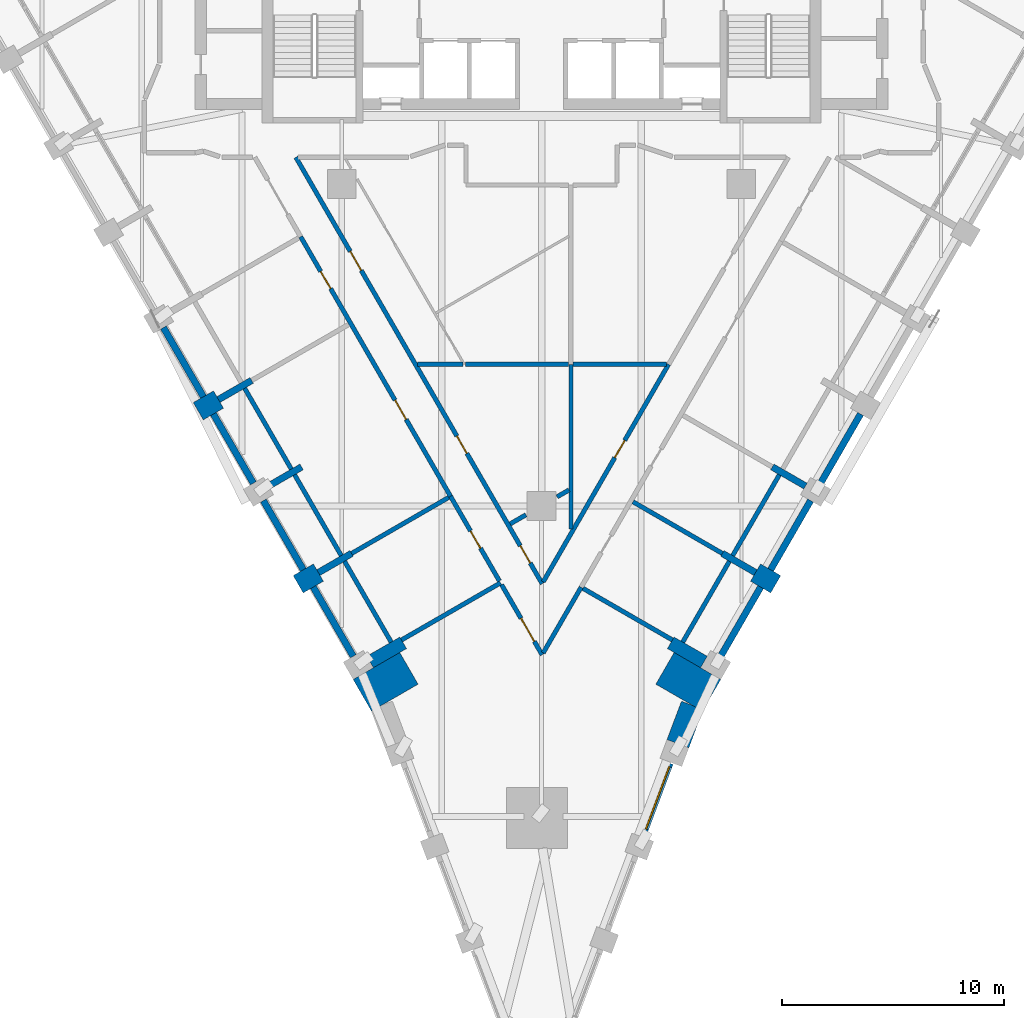
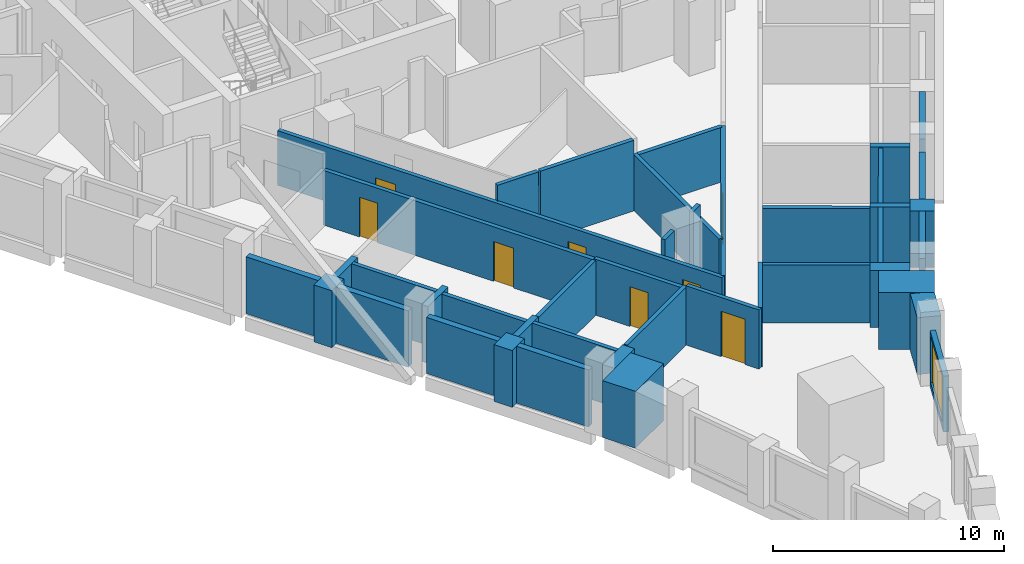
# One storey, part 3 of 10: 42 walls, 8 doors, 1 window, 9 openings.
"""IFC4 building model written with IfcOpenShell, lengths in metres."""

from ifc_helpers import new_model, si_unit, direction, frame, frame_2d, origin, place, context, subcontext, project, spatial, polyline, rectangle, outline, extrude, material, layer, layer_set, type_object, element, fill, save


model = new_model("IFC4")

# Units and contexts
model_context = context("Model", 3, precision=1e-05, world=origin(), true_north=direction((0.0, 1.0)))
body_context = subcontext(model_context, "Body", "Model", "MODEL_VIEW")
ifc_project = project(units=[si_unit("LENGTHUNIT", "METRE"), si_unit("AREAUNIT", "SQUARE_METRE"), si_unit("VOLUMEUNIT", "CUBIC_METRE"), si_unit("PLANEANGLEUNIT", "RADIAN"), si_unit("MASSUNIT", "GRAM", prefix="KILO")], contexts=[model_context])

# Site, building, storey
site_placement = place(None, origin())
site = spatial("IfcSite", under=ifc_project, at=site_placement, CompositionType="ELEMENT")
building_placement = place(site_placement, origin())
building = spatial("IfcBuilding", under=site, at=building_placement, Name="Calabash Gate Tower", CompositionType="ELEMENT")
storey_placement = place(building_placement, frame((0.0, 0.0, 152.39990234375)))
storey = spatial("IfcBuildingStorey", under=building, at=storey_placement, Name="L35", CompositionType="ELEMENT", Elevation=152.39990234375)

# Walls
ifc_material_1 = material(Name="Terracotta brick masonry, exposed face", Category="masonry")
ifc_layer_1 = layer(ifc_material_1, 2.425048828125)
ifc_layer_set_1 = layer_set([ifc_layer_1], Name="Brick corner mass wall 2425")
wall_type_1 = type_object("IfcWallType", Name="Brick corner mass wall 2425", PredefinedType="SOLIDWALL", material=ifc_layer_set_1)
wall_1_placement = place(storey_placement, origin())
element("IfcWall", 1, at=wall_1_placement, inside=storey, type_object=wall_type_1, Name="Brick corner pier S09 1", PredefinedType="SOLIDWALL", context=body_context, shape_type="SweptSolid", body=[
    extrude(outline(polyline([(-5.559326171875, -20.035888671875), (-6.384521484375, -18.6064453125), (-7.573974609375, -19.293212890625), (-7.5732421875, -19.294189453125), (-8.482666015625, -19.819091796875), (-8.483154296875, -19.818115234375), (-8.484619140625, -19.819091796875), (-7.659423828125, -21.248291015625), (-5.559326171875, -20.035888671875)])), origin(), (0.0, 0.0, 1.0), 3.0),
])
wall_2_placement = place(storey_placement, origin())
element("IfcWall", 2, at=wall_2_placement, inside=storey, type_object=wall_type_1, Name="Brick corner pier S09 2", PredefinedType="SOLIDWALL", context=body_context, shape_type="SweptSolid", body=[
    extrude(outline(polyline([(8.0751953125, -19.819091796875), (5.97509765625, -18.6064453125), (5.14990234375, -20.035888671875), (7.25, -21.248291015625), (8.0751953125, -19.819091796875)])), origin(), (0.0, 0.0, 1.0), 3.0),
])
ifc_material_2 = material(Name="Terracotta brick masonry, exposed face", Category="masonry")
ifc_layer_2 = layer(ifc_material_2, 1.050048828125)
ifc_layer_set_2 = layer_set([ifc_layer_2], Name="Brick end wall 1050")
wall_type_2 = type_object("IfcWallType", Name="Brick end wall 1050", PredefinedType="SOLIDWALL", material=ifc_layer_set_2)
for number, where, z_axis, x_axis, name in (
    (3, (-15.459716796875, -7.738037109375, 0.0), (0.0, 0.0, 1.0), (0.865988129768, 0.500064554934, 0.0), "Brick pier S09 SW0.5"),
    (4, (-10.05029296875, -15.00732421875, 0.0), (0.0, 0.0, 1.0), (-0.866088799389, -0.499890179513, 0.0), "Brick pier S09 SW0.7"),
    (5, (9.640869140625, -15.00732421875, 0.0), (0.0, 0.0, 1.0), (0.866088799389, -0.499890179513, 0.0), "Brick pier S09 SE4.1"),
):
    element("IfcWall", number, at=place(storey_placement, frame(where, z_axis=z_axis, x_axis=x_axis)), inside=storey, type_object=wall_type_2, Name=name, PredefinedType="SOLIDWALL", context=body_context, shape_type="SweptSolid", body=[
        extrude(rectangle(XDim=1.050048828125, YDim=0.89990234375, at=frame_2d((0.52490234375, 0.0))), origin(), (0.0, 0.0, 1.0), 3.0),
    ])
wall_3_placement = place(storey_placement, origin())
element("IfcWall", 6, at=wall_3_placement, inside=storey, type_object=wall_type_2, Name="Brick end wall S09 3", PredefinedType="SOLIDWALL", context=body_context, shape_type="SweptSolid", body=[
    extrude(outline(polyline([(6.303955078125, -20.80126953125), (5.653564453125, -22.53125), (5.65380859375, -22.53125), (5.65380859375, -22.531005859375), (6.636474609375, -22.900390625), (7.271484375, -21.2109375), (7.25, -21.248291015625), (6.795166015625, -20.98583984375), (6.303955078125, -20.80126953125)])), origin(), (0.0, 0.0, 1.0), 3.0),
])
ifc_material_3 = material(Name="Terracotta brick masonry, exposed face", Category="masonry")
ifc_layer_3 = layer(ifc_material_3, 0.300048828125)
ifc_layer_set_3 = layer_set([ifc_layer_3], Name="Brick infill panel wall 300")
wall_type_3 = type_object("IfcWallType", Name="Brick infill panel wall 300", PredefinedType="SOLIDWALL", material=ifc_layer_set_3)
wall_4_placement = place(storey_placement, frame((-15.22998046875, -7.085693359375, 0.0), z_axis=(0.0, 0.0, 1.0), x_axis=(-0.499998428639, 0.866026311008, 0.0)))
element("IfcWall", 7, at=wall_4_placement, inside=storey, type_object=wall_type_3, Name="Brick panel S09 SW0.5", PredefinedType="SOLIDWALL", context=body_context, shape_type="SweptSolid", body=[
    extrude(rectangle(XDim=3.59912109375, YDim=0.300048828125, at=frame_2d((1.799560546875, 0.0))), origin(), (0.0, 0.0, 1.0), 3.0),
])
wall_5_placement = place(storey_placement, frame((-14.780029296875, -7.865234375, 0.0), z_axis=(0.0, 0.0, 1.0), x_axis=(0.500012057535, -0.866018442252, 0.0)))
element("IfcWall", 8, at=wall_5_placement, inside=storey, type_object=wall_type_3, Name="Brick panel S09 SW0.6", PredefinedType="SOLIDWALL", context=body_context, shape_type="SweptSolid", body=[
    extrude(rectangle(XDim=3.60009765625, YDim=0.300048828125, at=frame_2d((1.800048828125, 0.0))), origin(), (0.0, 0.0, 1.0), 2.9736328125),
])
wall_6_placement = place(storey_placement, frame((-10.72998046875, -14.8798828125, 0.0), z_axis=(0.0, 0.0, 1.0), x_axis=(-0.500006299954, 0.866021766474, 0.0)))
element("IfcWall", 9, at=wall_6_placement, inside=storey, type_object=wall_type_3, Name="Brick panel S09 SW0.7", PredefinedType="SOLIDWALL", context=body_context, shape_type="SweptSolid", body=[
    extrude(rectangle(XDim=3.5986328125, YDim=0.300048828125, at=frame_2d((1.79931640625, 0.0))), origin(), (0.0, 0.0, 1.0), 2.9501953125),
])
for number, where, z_axis, x_axis, name in (
    (10, (-10.280029296875, -15.659423828125, 0.0), (0.0, 0.0, 1.0), (0.500012057535, -0.866018442252, 0.0), "Brick panel S09 SW0.8"),
    (11, (8.070556640625, -18.777099609375, 0.0), (0.0, 0.0, 1.0), (0.500012057535, 0.866018442252, 0.0), "Brick panel S09 SE4.1"),
):
    element("IfcWall", number, at=place(storey_placement, frame(where, z_axis=z_axis, x_axis=x_axis)), inside=storey, type_object=wall_type_3, Name=name, PredefinedType="SOLIDWALL", context=body_context, shape_type="SweptSolid", body=[
        extrude(rectangle(XDim=3.60009765625, YDim=0.300048828125, at=frame_2d((1.800048828125, 0.0))), origin(), (0.0, 0.0, 1.0), 3.0),
    ])
wall_7_placement = place(storey_placement, frame((10.320556640625, -14.8798828125, 0.0), z_axis=(0.0, 0.0, 1.0), x_axis=(0.500012057535, 0.866018442252, 0.0)))
element("IfcWall", 12, at=wall_7_placement, inside=storey, type_object=wall_type_3, Name="Brick panel S09 SE4.2", PredefinedType="SOLIDWALL", context=body_context, shape_type="SweptSolid", body=[
    extrude(rectangle(XDim=3.60009765625, YDim=0.300048828125, at=frame_2d((1.800048828125, 0.0))), origin(), (0.0, 0.0, 1.0), 2.9501953125),
])
wall_8_placement = place(storey_placement, frame((12.570556640625, -10.98291015625, 0.0), z_axis=(0.0, 0.0, 1.0), x_axis=(0.500012057535, 0.866018442252, 0.0)))
element("IfcWall", 13, at=wall_8_placement, inside=storey, type_object=wall_type_3, Name="Brick panel S09 SE4.3", PredefinedType="SOLIDWALL", context=body_context, shape_type="SweptSolid", body=[
    extrude(rectangle(XDim=3.60009765625, YDim=0.300048828125, at=frame_2d((1.800048828125, 0.0))), origin(), (0.0, 0.0, 1.0), 3.0),
])
ifc_material_4 = material(Name="Terracotta brick masonry, exposed face", Category="masonry")
ifc_layer_4 = layer(ifc_material_4, 0.300048828125)
ifc_layer_set_4 = layer_set([ifc_layer_4], Name="Brick loggia cheek wall 300")
wall_type_4 = type_object("IfcWallType", Name="Brick loggia cheek wall 300", PredefinedType="SOLIDWALL", material=ifc_layer_set_4)
wall_9_placement = place(storey_placement, frame((-14.55029296875, -7.212890625, 0.0), z_axis=(0.0, 0.0, 1.0), x_axis=(0.866074815912, 0.499914405916, 0.0)))
element("IfcWall", 14, at=wall_9_placement, inside=storey, type_object=wall_type_4, Name="Loggia cheek S09 SW0.5", PredefinedType="SOLIDWALL", context=body_context, shape_type="SweptSolid", body=[
    extrude(rectangle(XDim=1.724853515625, YDim=0.300048828125, at=frame_2d((0.8623046875, 0.0))), origin(), (0.0, 0.0, 1.0), 2.9736328125),
])
wall_10_placement = place(storey_placement, frame((-10.806396484375, -10.24755859375, 0.0), z_axis=(0.0, 0.0, 1.0), x_axis=(-0.866020469142, -0.500008546953, 0.0)))
element("IfcWall", 15, at=wall_10_placement, inside=storey, type_object=wall_type_4, Name="Loggia cheek S09 SW0.6", PredefinedType="SOLIDWALL", context=body_context, shape_type="SweptSolid", body=[
    extrude(rectangle(XDim=1.7236328125, YDim=0.300048828125, at=frame_2d((0.86181640625, 0.0))), origin(), (0.0, 0.0, 1.0), 3.0),
])
wall_11_placement = place(storey_placement, frame((-10.05029296875, -15.00732421875, 0.0), z_axis=(0.0, 0.0, 1.0), x_axis=(0.866013532718, 0.500020560727, 0.0)))
element("IfcWall", 16, at=wall_11_placement, inside=storey, type_object=wall_type_4, Name="Loggia cheek S09 SW0.7", PredefinedType="SOLIDWALL", context=body_context, shape_type="SweptSolid", body=[
    extrude(rectangle(XDim=1.72509765625, YDim=0.300048828125, at=frame_2d((0.862548828125, 0.0))), origin(), (0.0, 0.0, 1.0), 3.0),
])
wall_12_placement = place(storey_placement, frame((-7.723876953125, -19.033447265625, 0.0), z_axis=(0.0, 0.0, 1.0), x_axis=(0.865985050045, 0.500069888215, 0.0)))
element("IfcWall", 17, at=wall_12_placement, inside=storey, type_object=wall_type_4, Name="Loggia cheek S09 SW0.8", PredefinedType="SOLIDWALL", context=body_context, shape_type="SweptSolid", body=[
    extrude(rectangle(XDim=1.723388671875, YDim=0.60009765625, at=frame_2d((0.86181640625, 0.0))), origin(), (0.0, 0.0, 1.0), 3.0),
])
wall_13_placement = place(storey_placement, frame((7.31591796875, -19.0341796875, 0.0), z_axis=(0.0, 0.0, 1.0), x_axis=(-0.866013532718, 0.500020560727, 0.0)))
element("IfcWall", 18, at=wall_13_placement, inside=storey, type_object=wall_type_4, Name="Loggia cheek S09 SE4.0", PredefinedType="SOLIDWALL", context=body_context, shape_type="SweptSolid", body=[
    extrude(rectangle(XDim=1.72509765625, YDim=0.60009765625, at=frame_2d((0.862548828125, 0.0))), origin(), (0.0, 0.0, 1.0), 3.0),
])
for number, where, z_axis, x_axis, name in (
    (19, (9.640869140625, -15.00732421875, 0.0), (0.0, 0.0, 1.0), (-0.866013532718, 0.500020560727, 0.0), "Loggia cheek S09 SE4.1"),
    (20, (11.890869140625, -11.110107421875, 0.0), (0.0, 0.0, 1.0), (-0.866013532718, 0.500020560727, 0.0), "Loggia cheek S09 SE4.2"),
):
    element("IfcWall", number, at=place(storey_placement, frame(where, z_axis=z_axis, x_axis=x_axis)), inside=storey, type_object=wall_type_4, Name=name, PredefinedType="SOLIDWALL", context=body_context, shape_type="SweptSolid", body=[
        extrude(rectangle(XDim=1.72509765625, YDim=0.300048828125, at=frame_2d((0.862548828125, 0.0))), origin(), (0.0, 0.0, 1.0), 3.0),
    ])

# Wall, opening, door
ifc_material_5 = material(Name="Gypsum board on steel studs, mineral wool", Category="steel")
ifc_layer_5 = layer(ifc_material_5, 0.199951171875)
ifc_layer_set_5 = layer_set([ifc_layer_5], Name="Partition 200 gypsum board EI 60")
wall_type_5 = type_object("IfcWallType", Name="Partition 200 gypsum board EI 60", PredefinedType="PARTITIONING", material=ifc_layer_set_5)
wall_14_placement = place(storey_placement, frame((-1.7978515625, -15.5546875, 0.0), z_axis=(0.0, 0.0, 1.0), x_axis=(0.500381369408, -0.865805108064, 0.0)))
wall_14 = element("IfcWall", 21, at=wall_14_placement, inside=storey, type_object=wall_type_5, Name="Partition", PredefinedType="PARTITIONING", context=body_context, shape_type="SweptSolid", body=[
    extrude(rectangle(XDim=3.645263671875, YDim=0.199951171875, at=frame_2d((1.82275390625, 0.0))), origin(), (0.0, 0.0, 1.0), 3.128173828125),
])
opening_1_placement = place(wall_14_placement, frame((1.74462890625, 0.0, 0.0)))
opening_1 = element("IfcOpeningElement", 22, at=opening_1_placement, cuts=wall_14, Name="Opening 33-35-016", PredefinedType="OPENING", context=body_context, shape_type="SweptSolid", body=[
    extrude(rectangle(XDim=1.199951171875, YDim=2.39990234375, at=frame_2d((0.60009765625, 1.199951171875))), frame((0.0, 0.10986328125, 0.0), z_axis=(0.0, -1.0, 0.0), x_axis=(1.0, 0.0, 0.0)), (0.0, 0.0, 1.0), 0.219970703125),
])
ifc_material_6 = material(Name="Steel fire door set with fire-resisting glazing", Category="steel")
door_type_1 = type_object("IfcDoorType", Name="OD3 Boardroom door 1200x2400", OperationType="NOTDEFINED", PredefinedType="DOOR", material=ifc_material_6)
door_1_placement = place(opening_1_placement, origin())
door_1 = element("IfcDoor", 23, at=door_1_placement, inside=storey, type_object=door_type_1, Name="Boardroom door", OperationType="SINGLE_SWING_RIGHT", OverallHeight=2.39990234375, OverallWidth=1.199951171875, PredefinedType="DOOR", context=body_context, shape_type="SweptSolid", body=[
    extrude(rectangle(XDim=1.199951171875, YDim=2.39990234375, at=frame_2d((0.60009765625, 1.199951171875))), frame((0.0, 0.02490234375, 0.0), z_axis=(0.0, -1.0, 0.0), x_axis=(1.0, 0.0, 0.0)), (0.0, 0.0, 1.0), 0.050048828125),
])
fill(opening_1, door_1)

# Walls
wall_15_placement = place(storey_placement, frame((1.869384765625, -15.71875, 0.0), z_axis=(0.0, 0.0, 1.0), x_axis=(0.866183837695, -0.499725483956, 0.0)))
element("IfcWall", 24, at=wall_15_placement, inside=storey, type_object=wall_type_5, Name="Partition", PredefinedType="PARTITIONING", context=body_context, shape_type="SweptSolid", body=[
    extrude(rectangle(XDim=4.6494140625, YDim=0.199951171875, at=frame_2d((2.32470703125, 0.0))), origin(), (0.0, 0.0, 1.0), 3.052001953125),
])
wall_16_placement = place(storey_placement, frame((0.076171875, -18.624267578125, 0.0), z_axis=(0.0, 0.0, 1.0), x_axis=(0.500452706258, 0.865763875892, 0.0)))
element("IfcWall", 25, at=wall_16_placement, inside=storey, type_object=wall_type_5, Name="Partition", PredefinedType="PARTITIONING", context=body_context, shape_type="SweptSolid", body=[
    extrude(rectangle(XDim=3.414306640625, YDim=0.199951171875, at=frame_2d((1.70703125, 0.0))), origin(), (0.0, 0.0, 1.0), 3.128173828125),
])
wall_17_placement = place(storey_placement, frame((-6.30615234375, -18.042236328125, 0.0), z_axis=(0.0, 0.0, 1.0), x_axis=(0.86617295725, 0.499744342768, 0.0)))
element("IfcWall", 26, at=wall_17_placement, inside=storey, type_object=wall_type_5, Name="Partition", PredefinedType="PARTITIONING", context=body_context, shape_type="SweptSolid", body=[
    extrude(rectangle(XDim=5.149658203125, YDim=0.199951171875, at=frame_2d((2.57470703125, 0.0))), origin(), (0.0, 0.0, 1.0), 3.052001953125),
])

# Wall, opening, door
wall_18_placement = place(storey_placement, frame((0.076171875, -15.423095703125, 0.0), z_axis=(0.0, 0.0, 1.0), x_axis=(0.499393409799, 0.866375335666, 0.0)))
wall_18 = element("IfcWall", 27, at=wall_18_placement, inside=storey, type_object=wall_type_5, Name="Partition", PredefinedType="PARTITIONING", context=body_context, shape_type="SweptSolid", body=[
    extrude(rectangle(XDim=11.30615234375, YDim=0.199951171875, at=frame_2d((5.653076171875, 0.0))), origin(), (0.0, 0.0, 1.0), 2.88427734375),
])
opening_2_placement = place(wall_18_placement, frame((6.455078125, 0.0, 0.0)))
opening_2 = element("IfcOpeningElement", 28, at=opening_2_placement, cuts=wall_18, Name="Opening 33-35-011", PredefinedType="OPENING", context=body_context, shape_type="SweptSolid", body=[
    extrude(rectangle(XDim=0.89990234375, YDim=2.10009765625, at=frame_2d((0.449951171875, 1.050048828125))), frame((0.0, 0.10986328125, 0.0), z_axis=(0.0, -1.0, 0.0), x_axis=(1.0, 0.0, 0.0)), (0.0, 0.0, 1.0), 0.219970703125),
])
ifc_material_7 = material(Name="Steel fire door set with fire-resisting glazing", Category="steel")
door_type_2 = type_object("IfcDoorType", Name="SD3 Store door 900x2100", OperationType="NOTDEFINED", PredefinedType="DOOR", material=ifc_material_7)
door_2_placement = place(opening_2_placement, origin())
door_2 = element("IfcDoor", 29, at=door_2_placement, inside=storey, type_object=door_type_2, Name="Store door", OperationType="SINGLE_SWING_RIGHT", OverallHeight=2.10009765625, OverallWidth=0.89990234375, PredefinedType="DOOR", context=body_context, shape_type="SweptSolid", body=[
    extrude(rectangle(XDim=0.89990234375, YDim=2.10009765625, at=frame_2d((0.449951171875, 1.050048828125))), frame((0.0, 0.02490234375, 0.0), z_axis=(0.0, -1.0, 0.0), x_axis=(1.0, 0.0, 0.0)), (0.0, 0.0, 1.0), 0.050048828125),
])
fill(opening_2, door_2)

wall_19_placement = place(storey_placement, frame((-4.09716796875, -11.572509765625, 0.0), z_axis=(0.0, 0.0, 1.0), x_axis=(0.500013981145, -0.866017331616, 0.0)))
wall_19 = element("IfcWall", 30, at=wall_19_placement, inside=storey, type_object=wall_type_5, Name="Partition", PredefinedType="PARTITIONING", context=body_context, shape_type="SweptSolid", body=[
    extrude(rectangle(XDim=4.397705078125, YDim=0.199951171875, at=frame_2d((2.19873046875, 0.0))), origin(), (0.0, 0.0, 1.0), 2.9501953125),
])
opening_3_placement = place(wall_19_placement, frame((1.798095703125, 0.0, 0.0)))
opening_3 = element("IfcOpeningElement", 31, at=opening_3_placement, cuts=wall_19, Name="Opening 33-35-003", PredefinedType="OPENING", context=body_context, shape_type="SweptSolid", body=[
    extrude(rectangle(XDim=0.89990234375, YDim=2.10009765625, at=frame_2d((0.449951171875, 1.050048828125))), frame((0.0, 0.10986328125, 0.0), z_axis=(0.0, -1.0, 0.0), x_axis=(1.0, 0.0, 0.0)), (0.0, 0.0, 1.0), 0.219970703125),
])
door_3_placement = place(opening_3_placement, origin())
door_3 = element("IfcDoor", 32, at=door_3_placement, inside=storey, type_object=door_type_2, Name="Store door", OperationType="SINGLE_SWING_LEFT", OverallHeight=2.10009765625, OverallWidth=0.89990234375, PredefinedType="DOOR", context=body_context, shape_type="SweptSolid", body=[
    extrude(rectangle(XDim=0.89990234375, YDim=2.10009765625, at=frame_2d((0.449951171875, 1.050048828125))), frame((0.0, 0.02490234375, 0.0), z_axis=(0.0, -1.0, 0.0), x_axis=(1.0, 0.0, 0.0)), (0.0, 0.0, 1.0), 0.050048828125),
])
fill(opening_3, door_3)

# Walls
wall_20_placement = place(storey_placement, frame((-1.412841796875, -12.813720703125, 0.0), z_axis=(0.0, 0.0, 1.0), x_axis=(0.866906303058, 0.498471124258, 0.0)))
element("IfcWall", 33, at=wall_20_placement, inside=storey, type_object=wall_type_5, Name="Partition", PredefinedType="PARTITIONING", context=body_context, shape_type="SweptSolid", body=[
    extrude(rectangle(XDim=0.822265625, YDim=0.199951171875, at=frame_2d((0.4111328125, 0.0))), origin(), (0.0, 0.0, 1.0), 3.72998046875),
])
wall_21_placement = place(storey_placement, frame((4.12109375, -11.818115234375, 0.0), z_axis=(0.0, 0.0, 1.0), x_axis=(0.865845361661, -0.500311712526, 0.0)))
element("IfcWall", 34, at=wall_21_placement, inside=storey, type_object=wall_type_5, Name="Partition", PredefinedType="PARTITIONING", context=body_context, shape_type="SweptSolid", body=[
    extrude(rectangle(XDim=4.64990234375, YDim=0.199951171875, at=frame_2d((2.324951171875, 0.0))), origin(), (0.0, 0.0, 1.0), 2.88427734375),
])
wall_22_placement = place(storey_placement, frame((-8.556396484375, -14.14501953125, 0.0), z_axis=(0.0, 0.0, 1.0), x_axis=(0.866191221831, 0.499712684673, 0.0)))
element("IfcWall", 35, at=wall_22_placement, inside=storey, type_object=wall_type_5, Name="Partition", PredefinedType="PARTITIONING", context=body_context, shape_type="SweptSolid", body=[
    extrude(rectangle(XDim=5.04833984375, YDim=0.199951171875, at=frame_2d((2.524169921875, 0.0))), origin(), (0.0, 0.0, 1.0), 2.88427734375),
])
wall_23_placement = place(storey_placement, frame((0.699951171875, -11.595703125, 0.0), z_axis=(0.0, 0.0, 1.0), x_axis=(0.866015917575, 0.500016430238, 0.0)))
element("IfcWall", 36, at=wall_23_placement, inside=storey, type_object=wall_type_5, Name="Partition", PredefinedType="PARTITIONING", context=body_context, shape_type="SweptSolid", body=[
    extrude(rectangle(XDim=0.623046875, YDim=0.199951171875, at=frame_2d((0.3115234375, 0.0))), origin(), (0.0, 0.0, 1.0), 3.72998046875),
])

# Wall, openings, doors
wall_24_placement = place(storey_placement, frame((-10.84814453125, 0.12060546875, 0.0), z_axis=(0.0, 0.0, 1.0), x_axis=(0.499997969693, -0.866026575979, 0.0)))
wall_24 = element("IfcWall", 37, at=wall_24_placement, inside=storey, type_object=wall_type_5, Name="Partition", PredefinedType="PARTITIONING", context=body_context, shape_type="SweptSolid", body=[
    extrude(rectangle(XDim=13.5, YDim=0.199951171875, at=frame_2d((6.75, 0.0))), origin(), (0.0, 0.0, 1.0), 2.88427734375),
])
opening_4_placement = place(wall_24_placement, frame((1.7998046875, 0.0, 0.0)))
opening_4 = element("IfcOpeningElement", 38, at=opening_4_placement, cuts=wall_24, Name="Opening 33-35-001", PredefinedType="OPENING", context=body_context, shape_type="SweptSolid", body=[
    extrude(rectangle(XDim=0.89990234375, YDim=2.10009765625, at=frame_2d((0.449951171875, 1.050048828125))), frame((0.0, 0.10986328125, 0.0), z_axis=(0.0, -1.0, 0.0), x_axis=(1.0, 0.0, 0.0)), (0.0, 0.0, 1.0), 0.219970703125),
])
opening_5_placement = place(wall_24_placement, frame((8.5, 0.0, 0.0)))
opening_5 = element("IfcOpeningElement", 39, at=opening_5_placement, cuts=wall_24, Name="Opening 33-35-002", PredefinedType="OPENING", context=body_context, shape_type="SweptSolid", body=[
    extrude(rectangle(XDim=1.0, YDim=2.10009765625, at=frame_2d((0.5, 1.050048828125))), frame((0.0, 0.10986328125, 0.0), z_axis=(0.0, -1.0, 0.0), x_axis=(1.0, 0.0, 0.0)), (0.0, 0.0, 1.0), 0.219970703125),
])
ifc_material_8 = material(Name="Steel fire door set with fire-resisting glazing", Category="steel")
door_type_3 = type_object("IfcDoorType", Name="LD2 Meeting room door 1000x2100", OperationType="NOTDEFINED", PredefinedType="DOOR", material=ifc_material_8)
door_4_placement = place(opening_5_placement, origin())
door_4 = element("IfcDoor", 40, at=door_4_placement, inside=storey, type_object=door_type_3, Name="Meeting room door", OperationType="SINGLE_SWING_RIGHT", OverallHeight=2.10009765625, OverallWidth=1.0, PredefinedType="DOOR", context=body_context, shape_type="SweptSolid", body=[
    extrude(rectangle(XDim=1.0, YDim=2.10009765625, at=frame_2d((0.5, 1.050048828125))), frame((0.0, 0.02490234375, 0.0), z_axis=(0.0, -1.0, 0.0), x_axis=(1.0, 0.0, 0.0)), (0.0, 0.0, 1.0), 0.050048828125),
])
fill(opening_5, door_4)
ifc_material_9 = material(Name="Painted timber door", Category="wood")
door_type_4 = type_object("IfcDoorType", Name="OD1 Office door 900x2100", OperationType="NOTDEFINED", PredefinedType="DOOR", material=ifc_material_9)
door_5_placement = place(opening_4_placement, origin())
door_5 = element("IfcDoor", 41, at=door_5_placement, inside=storey, type_object=door_type_4, Name="Office door", OperationType="SINGLE_SWING_RIGHT", OverallHeight=2.10009765625, OverallWidth=0.89990234375, PredefinedType="DOOR", context=body_context, shape_type="SweptSolid", body=[
    extrude(rectangle(XDim=0.89990234375, YDim=2.10009765625, at=frame_2d((0.449951171875, 1.050048828125))), frame((0.0, 0.02490234375, 0.0), z_axis=(0.0, -1.0, 0.0), x_axis=(1.0, 0.0, 0.0)), (0.0, 0.0, 1.0), 0.050048828125),
])
fill(opening_4, door_5)

# Walls
wall_25_placement = place(storey_placement, frame((-5.577392578125, -5.627197265625, 0.0), z_axis=(0.0, 0.0, 1.0), x_axis=(1.0, 0.0, 0.0)))
element("IfcWall", 42, at=wall_25_placement, inside=storey, type_object=wall_type_5, Name="Partition", PredefinedType="PARTITIONING", context=body_context, shape_type="SweptSolid", body=[
    extrude(rectangle(XDim=2.04150390625, YDim=0.199951171875, at=frame_2d((1.020751953125, 0.0))), origin(), (0.0, 0.0, 1.0), 3.72998046875),
])
wall_26_placement = place(storey_placement, frame((-3.434814453125, -5.62890625, 0.0), z_axis=(0.0, 0.0, 1.0), x_axis=(0.999999932729, 0.000366799388, 0.0)))
element("IfcWall", 43, at=wall_26_placement, inside=storey, type_object=wall_type_5, Name="Partition", PredefinedType="PARTITIONING", context=body_context, shape_type="SweptSolid", body=[
    extrude(rectangle(XDim=4.6591796875, YDim=0.199951171875, at=frame_2d((2.32958984375, 0.0))), origin(), (0.0, 0.0, 1.0), 3.72998046875),
])
wall_27_placement = place(storey_placement, frame((1.328125, -13.05078125, 0.0), z_axis=(0.0, 0.0, 1.0), x_axis=(0.0, 1.0, 0.0)))
element("IfcWall", 44, at=wall_27_placement, inside=storey, type_object=wall_type_5, Name="Partition", PredefinedType="PARTITIONING", context=body_context, shape_type="SweptSolid", body=[
    extrude(rectangle(XDim=7.419921875, YDim=0.199951171875, at=frame_2d((3.7099609375, 0.0))), origin(), (0.0, 0.0, 1.0), 2.9501953125),
])
wall_28_placement = place(storey_placement, frame((1.42822265625, -5.630859375, 0.0), z_axis=(0.0, 0.0, 1.0), x_axis=(1.0, 0.0, 0.0)))
element("IfcWall", 45, at=wall_28_placement, inside=storey, type_object=wall_type_5, Name="Partition", PredefinedType="PARTITIONING", context=body_context, shape_type="SweptSolid", body=[
    extrude(rectangle(XDim=4.199462890625, YDim=0.199951171875, at=frame_2d((2.099609375, 0.0))), origin(), (0.0, 0.0, 1.0), 2.88427734375),
])

# Wall, openings, doors
wall_29_placement = place(storey_placement, frame((-11.064453125, 3.69970703125, 0.0), z_axis=(0.0, 0.0, 1.0), x_axis=(0.500140059959, -0.865944525027, 0.0)))
wall_29 = element("IfcWall", 46, at=wall_29_placement, inside=storey, type_object=wall_type_5, Name="Partition", PredefinedType="PARTITIONING", context=body_context, shape_type="SweptSolid", body=[
    extrude(rectangle(XDim=22.181396484375, YDim=0.199951171875, at=frame_2d((11.0908203125, 0.0))), origin(), (0.0, 0.0, 1.0), 2.88427734375),
])
opening_6_placement = place(wall_29_placement, frame((20.205078125, 0.0, 0.0)))
opening_6 = element("IfcOpeningElement", 47, at=opening_6_placement, cuts=wall_29, Name="Opening 33-35-009", PredefinedType="OPENING", context=body_context, shape_type="SweptSolid", body=[
    extrude(rectangle(XDim=0.89990234375, YDim=2.10009765625, at=frame_2d((0.449951171875, 1.050048828125))), frame((0.0, 0.10986328125, 0.0), z_axis=(0.0, -1.0, 0.0), x_axis=(1.0, 0.0, 0.0)), (0.0, 0.0, 1.0), 0.219970703125),
])
opening_7_placement = place(wall_29_placement, frame((14.500244140625, 0.0, 0.0)))
opening_7 = element("IfcOpeningElement", 48, at=opening_7_placement, cuts=wall_29, Name="Opening 33-35-010", PredefinedType="OPENING", context=body_context, shape_type="SweptSolid", body=[
    extrude(rectangle(XDim=0.89990234375, YDim=2.10009765625, at=frame_2d((0.449951171875, 1.050048828125))), frame((0.0, 0.10986328125, 0.0), z_axis=(0.0, -1.0, 0.0), x_axis=(1.0, 0.0, 0.0)), (0.0, 0.0, 1.0), 0.219970703125),
])
opening_8_placement = place(wall_29_placement, frame((4.885986328125, 0.0, 0.0)))
opening_8 = element("IfcOpeningElement", 49, at=opening_8_placement, cuts=wall_29, Name="Opening 33-35-017", PredefinedType="OPENING", context=body_context, shape_type="SweptSolid", body=[
    extrude(rectangle(XDim=1.0, YDim=2.10009765625, at=frame_2d((0.5, 1.050048828125))), frame((0.0, 0.10986328125, 0.0), z_axis=(0.0, -1.0, 0.0), x_axis=(1.0, 0.0, 0.0)), (0.0, 0.0, 1.0), 0.219970703125),
])
door_6_placement = place(opening_6_placement, origin())
door_6 = element("IfcDoor", 50, at=door_6_placement, inside=storey, type_object=door_type_2, Name="Store door", OperationType="SINGLE_SWING_RIGHT", OverallHeight=2.10009765625, OverallWidth=0.89990234375, PredefinedType="DOOR", context=body_context, shape_type="SweptSolid", body=[
    extrude(rectangle(XDim=0.89990234375, YDim=2.10009765625, at=frame_2d((0.449951171875, 1.050048828125))), frame((0.0, 0.02490234375, 0.0), z_axis=(0.0, -1.0, 0.0), x_axis=(1.0, 0.0, 0.0)), (0.0, 0.0, 1.0), 0.050048828125),
])
fill(opening_6, door_6)
door_7_placement = place(opening_7_placement, origin())
door_7 = element("IfcDoor", 51, at=door_7_placement, inside=storey, type_object=door_type_2, Name="Store door", OperationType="SINGLE_SWING_RIGHT", OverallHeight=2.10009765625, OverallWidth=0.89990234375, PredefinedType="DOOR", context=body_context, shape_type="SweptSolid", body=[
    extrude(rectangle(XDim=0.89990234375, YDim=2.10009765625, at=frame_2d((0.449951171875, 1.050048828125))), frame((0.0, 0.02490234375, 0.0), z_axis=(0.0, -1.0, 0.0), x_axis=(1.0, 0.0, 0.0)), (0.0, 0.0, 1.0), 0.050048828125),
])
fill(opening_7, door_7)
ifc_material_10 = material(Name="Steel fire door set with fire-resisting glazing", Category="steel")
door_type_5 = type_object("IfcDoorType", Name="WD3 WC lobby door 1000x2100", OperationType="NOTDEFINED", PredefinedType="DOOR", material=ifc_material_10)
door_8_placement = place(opening_8_placement, origin())
door_8 = element("IfcDoor", 52, at=door_8_placement, inside=storey, type_object=door_type_5, Name="WC lobby door", OperationType="SINGLE_SWING_LEFT", OverallHeight=2.10009765625, OverallWidth=1.0, PredefinedType="DOOR", context=body_context, shape_type="SweptSolid", body=[
    extrude(rectangle(XDim=1.0, YDim=2.10009765625, at=frame_2d((0.5, 1.050048828125))), frame((0.0, 0.02490234375, 0.0), z_axis=(0.0, -1.0, 0.0), x_axis=(1.0, 0.0, 0.0)), (0.0, 0.0, 1.0), 0.050048828125),
])
fill(opening_8, door_8)

# Wall, opening, window
ifc_material_11 = material(Name="Aluminium framed window wall with insulated spandrel", Category="aluminium")
ifc_layer_6 = layer(ifc_material_11, 0.25)
ifc_layer_set_6 = layer_set([ifc_layer_6], Name="Prow window wall 250")
wall_type_6 = type_object("IfcWallType", Name="Prow window wall 250", PredefinedType="ELEMENTEDWALL", material=ifc_layer_set_6)
wall_30_placement = place(storey_placement, frame((4.579345703125, -26.88134765625, 0.0), z_axis=(0.0, 0.0, 1.0), x_axis=(0.351849563443, 0.936056560634, 0.0)))
wall_30 = element("IfcWall", 53, at=wall_30_placement, inside=storey, type_object=wall_type_6, Name="Prow window wall S09 wedge3.3", PredefinedType="ELEMENTEDWALL", context=body_context, shape_type="SweptSolid", body=[
    extrude(rectangle(XDim=3.5, YDim=0.25, at=frame_2d((1.75, 0.0))), origin(), (0.0, 0.0, 1.0), 2.9501953125),
])
opening_9_placement = place(wall_30_placement, frame((0.35009765625, 0.0, 0.300048828125)))
opening_9 = element("IfcOpeningElement", 54, at=opening_9_placement, cuts=wall_30, Name="Opening WP2L-2450", PredefinedType="OPENING", context=body_context, shape_type="SweptSolid", body=[
    extrude(rectangle(XDim=3.0, YDim=2.449951171875, at=frame_2d((1.5, 1.22509765625))), frame((0.0, 0.135009765625, 0.0), z_axis=(0.0, -1.0, 0.0), x_axis=(1.0, 0.0, 0.0)), (0.0, 0.0, 1.0), 0.27001953125),
])
ifc_material_12 = material(Name="Anodised aluminium frame, bronze finish, impact-rated laminated clear glazing", Category="aluminium")
window_type = type_object("IfcWindowType", Name="Window WP2L 3000x2450", PartitioningType="DOUBLE_PANEL_VERTICAL", PredefinedType="WINDOW", material=ifc_material_12)
window_placement = place(opening_9_placement, origin())
window = element("IfcWindow", 55, at=window_placement, inside=storey, type_object=window_type, Name="Prow window WP2L S09 wedge3.3", OverallHeight=2.449951171875, OverallWidth=3.0, PartitioningType="SINGLE_PANEL", PredefinedType="WINDOW", context=body_context, shape_type="SweptSolid", body=[
    extrude(rectangle(XDim=3.0, YDim=2.449951171875, at=frame_2d((1.5, 1.22509765625))), frame((0.0, 0.030029296875, 0.0), z_axis=(0.0, -1.0, 0.0), x_axis=(1.0, 0.0, 0.0)), (0.0, 0.0, 1.0), 0.06005859375),
])
fill(opening_9, window)

# Walls
ifc_material_13 = material(Name="Aluminium framed window wall with insulated spandrel", Category="aluminium")
ifc_layer_7 = layer(ifc_material_13, 0.199951171875)
ifc_layer_set_7 = layer_set([ifc_layer_7], Name="Window wall 200")
wall_type_7 = type_object("IfcWallType", Name="Window wall 200", PredefinedType="ELEMENTEDWALL", material=ifc_layer_set_7)
wall_31_placement = place(storey_placement, frame((-13.37109375, -6.705322265625, 0.0), z_axis=(0.0, 0.0, 1.0), x_axis=(0.499958946799, -0.866049104564, 0.0)))
element("IfcWall", 56, at=wall_31_placement, inside=storey, type_object=wall_type_7, Name="Window wall S09 SW0.6", PredefinedType="ELEMENTEDWALL", context=body_context, shape_type="SweptSolid", body=[
    extrude(rectangle(XDim=4.199951171875, YDim=0.199951171875, at=frame_2d((2.10009765625, 0.0))), origin(), (0.0, 0.0, 1.0), 2.9736328125),
])
wall_32_placement = place(storey_placement, frame((-11.12109375, -10.6025390625, 0.0), z_axis=(0.0, 0.0, 1.0), x_axis=(0.49998411664, -0.866034573852, 0.0)))
element("IfcWall", 57, at=wall_32_placement, inside=storey, type_object=wall_type_7, Name="Window wall S09 SW0.7", PredefinedType="ELEMENTEDWALL", context=body_context, shape_type="SweptSolid", body=[
    extrude(rectangle(XDim=4.199951171875, YDim=0.199951171875, at=frame_2d((2.10009765625, 0.0))), origin(), (0.0, 0.0, 1.0), 2.9501953125),
])
wall_33_placement = place(storey_placement, frame((-8.87109375, -14.49951171875, 0.0), z_axis=(0.0, 0.0, 1.0), x_axis=(0.499958946799, -0.866049104564, 0.0)))
element("IfcWall", 58, at=wall_33_placement, inside=storey, type_object=wall_type_7, Name="Window wall S09 SW0.8", PredefinedType="ELEMENTEDWALL", context=body_context, shape_type="SweptSolid", body=[
    extrude(rectangle(XDim=4.199951171875, YDim=0.199951171875, at=frame_2d((2.10009765625, 0.0))), origin(), (0.0, 0.0, 1.0), 3.0),
])
wall_34_placement = place(storey_placement, frame((6.361572265625, -18.136962890625, 0.0), z_axis=(0.0, 0.0, 1.0), x_axis=(0.500002543286, 0.866023935413, 0.0)))
element("IfcWall", 59, at=wall_34_placement, inside=storey, type_object=wall_type_7, Name="Window wall S09 SE4.1", PredefinedType="ELEMENTEDWALL", context=body_context, shape_type="SweptSolid", body=[
    extrude(rectangle(XDim=4.2001953125, YDim=0.199951171875, at=frame_2d((2.10009765625, 0.0))), origin(), (0.0, 0.0, 1.0), 3.0),
])
wall_35_placement = place(storey_placement, frame((8.611572265625, -14.23974609375, 0.0), z_axis=(0.0, 0.0, 1.0), x_axis=(0.500027713859, 0.866009402589, 0.0)))
element("IfcWall", 60, at=wall_35_placement, inside=storey, type_object=wall_type_7, Name="Window wall S09 SE4.2", PredefinedType="ELEMENTEDWALL", context=body_context, shape_type="SweptSolid", body=[
    extrude(rectangle(XDim=4.199951171875, YDim=0.199951171875, at=frame_2d((2.10009765625, 0.0))), origin(), (0.0, 0.0, 1.0), 2.9501953125),
])

save(model, "model.ifc")
